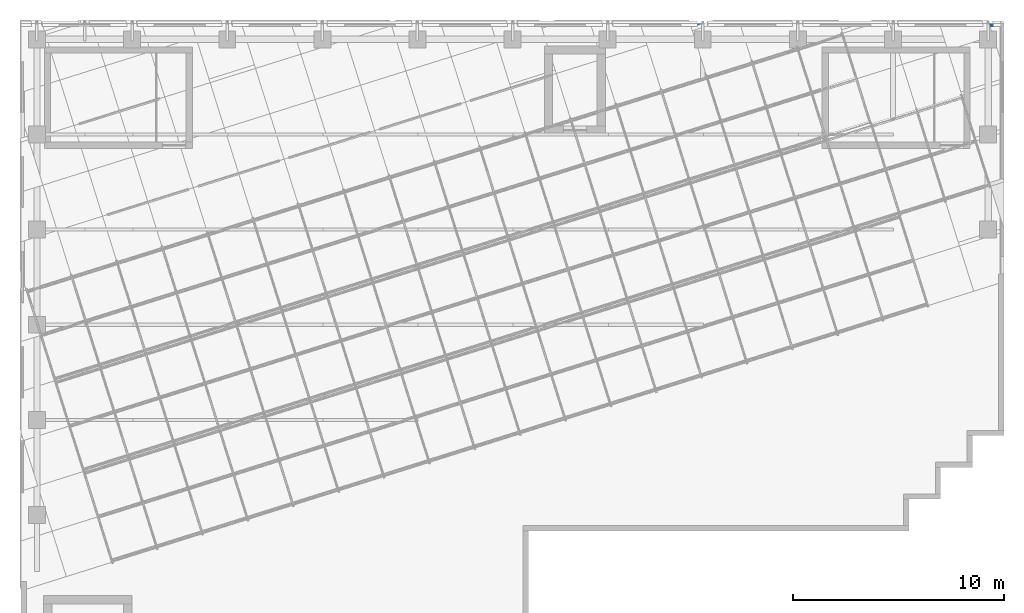
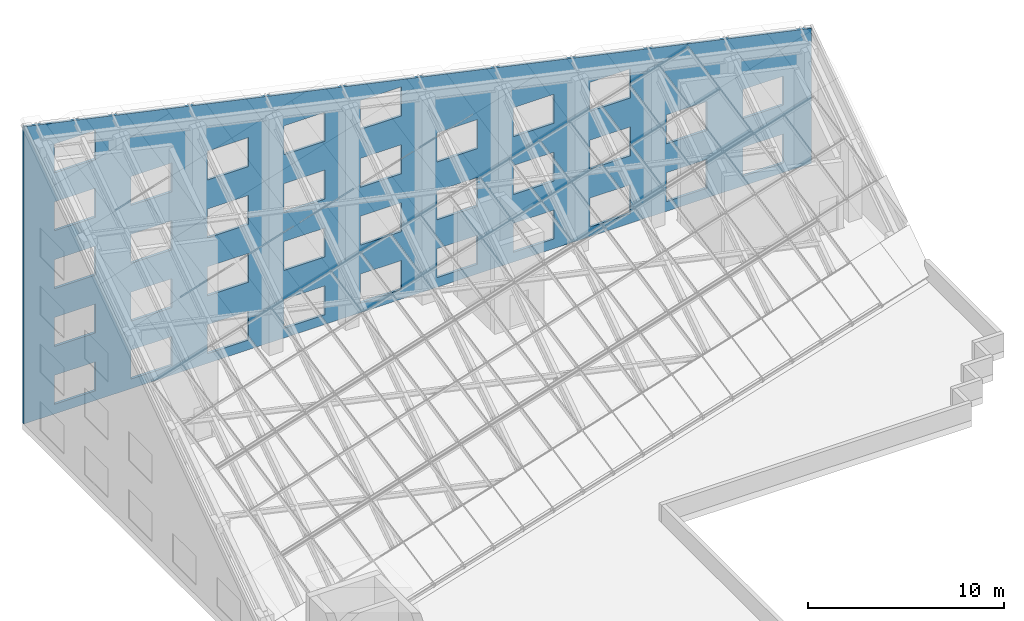
# One storey, part 12 of 14: 1 wall, 34 openings.
"""IFC4 building model written with IfcOpenShell, lengths in metres."""

from ifc_helpers import new_model, si_unit, direction, frame, frame_2d, origin, place, context, subcontext, project, spatial, polyline, rectangle, outline, extrude, material, layer, layer_set, type_object, element, save


model = new_model("IFC4")

# Units and contexts
model_context = context("Model", 3, precision=1e-05, world=origin(), true_north=direction((0.0, 1.0)))
body_context = subcontext(model_context, "Body", "Model", "MODEL_VIEW")
ifc_project = project(units=[si_unit("LENGTHUNIT", "METRE"), si_unit("AREAUNIT", "SQUARE_METRE"), si_unit("VOLUMEUNIT", "CUBIC_METRE"), si_unit("PLANEANGLEUNIT", "RADIAN"), si_unit("MASSUNIT", "GRAM", prefix="KILO")], contexts=[model_context])

# Site, building, storey
site_placement = place(None, origin())
site = spatial("IfcSite", under=ifc_project, at=site_placement, CompositionType="ELEMENT")
building_placement = place(site_placement, origin())
building = spatial("IfcBuilding", under=site, at=building_placement, Name="Firuza Court", CompositionType="ELEMENT")
storey_placement = place(building_placement, frame((0.0, 0.0, 266.199951171875)))
storey = spatial("IfcBuildingStorey", under=building, at=storey_placement, Name="L68 Crown", CompositionType="ELEMENT", Elevation=266.199951171875)

# Wall, openings
ifc_material_1 = material(Name="Ceramic tile", Category="ceramic")
ifc_layer_1 = layer(ifc_material_1, 0.02001953125)
ifc_material_2 = material(Name="Mineral wool insulation", Category="insulation")
ifc_layer_2 = layer(ifc_material_2, 0.050048828125)
ifc_material_3 = material(Name="Concrete C40/50 precast", Category="concrete")
ifc_layer_3 = layer(ifc_material_3, 0.080078125)
ifc_layer_set = layer_set([ifc_layer_1, ifc_layer_2, ifc_layer_3], Name="Concrete C40/50 precast")
wall_type = type_object("IfcWallType", Name="Precast cladding wall with turquoise TILE PANEL face 150", PredefinedType="STANDARD", material=ifc_layer_set)
wall_placement = place(storey_placement, frame((45.60009765625, 59.175048828125, 0.0), z_axis=(0.0, 0.0, 1.0), x_axis=(-1.0, 0.0, 0.0)))
wall = element("IfcWall", 1, at=wall_placement, inside=storey, type_object=wall_type, Name="Facade wall L68 N", PredefinedType="STANDARD", context=body_context, shape_type="SweptSolid", body=[
    extrude(outline(polyline([(0.0, 0.0), (46.35009765625, 0.0), (46.35009765625, 18.502685546875), (0.0, 8.400634765625), (0.0, 0.0)])), frame((0.0, 0.074951171875, 0.0), z_axis=(0.0, -1.0, 0.0), x_axis=(1.0, 0.0, 0.0)), (0.0, 0.0, 1.0), 0.14990234375),
])
opening_1_placement = place(wall_placement, frame((1.64990234375, 0.0, 0.60009765625)))
element("IfcOpeningElement", 2, at=opening_1_placement, cuts=wall, Name="Opening LV1", PredefinedType="OPENING", context=body_context, shape_type="SweptSolid", body=[
    extrude(rectangle(XDim=2.39990234375, YDim=1.800048828125, at=frame_2d((1.199951171875, 0.89990234375))), frame((0.0, 0.0869140625, 0.0), z_axis=(0.0, -1.0, 0.0), x_axis=(1.0, 0.0, 0.0)), (0.0, 0.0, 1.0), 0.173828125),
])
opening_2_placement = place(wall_placement, frame((1.64990234375, 0.0, 4.199951171875)))
element("IfcOpeningElement", 3, at=opening_2_placement, cuts=wall, Name="Opening LV1", PredefinedType="OPENING", context=body_context, shape_type="SweptSolid", body=[
    extrude(rectangle(XDim=2.39990234375, YDim=1.800048828125, at=frame_2d((1.199951171875, 0.89990234375))), frame((0.0, 0.0869140625, 0.0), z_axis=(0.0, -1.0, 0.0), x_axis=(1.0, 0.0, 0.0)), (0.0, 0.0, 1.0), 0.173828125),
])
opening_3_placement = place(wall_placement, frame((6.14990234375, 0.0, 0.60009765625)))
element("IfcOpeningElement", 4, at=opening_3_placement, cuts=wall, Name="Opening LV1", PredefinedType="OPENING", context=body_context, shape_type="SweptSolid", body=[
    extrude(rectangle(XDim=2.39990234375, YDim=1.800048828125, at=frame_2d((1.199951171875, 0.89990234375))), frame((0.0, 0.0869140625, 0.0), z_axis=(0.0, -1.0, 0.0), x_axis=(1.0, 0.0, 0.0)), (0.0, 0.0, 1.0), 0.173828125),
])
opening_4_placement = place(wall_placement, frame((6.14990234375, 0.0, 4.199951171875)))
element("IfcOpeningElement", 5, at=opening_4_placement, cuts=wall, Name="Opening LV1", PredefinedType="OPENING", context=body_context, shape_type="SweptSolid", body=[
    extrude(rectangle(XDim=2.39990234375, YDim=1.800048828125, at=frame_2d((1.199951171875, 0.89990234375))), frame((0.0, 0.0869140625, 0.0), z_axis=(0.0, -1.0, 0.0), x_axis=(1.0, 0.0, 0.0)), (0.0, 0.0, 1.0), 0.173828125),
])
opening_5_placement = place(wall_placement, frame((10.64990234375, 0.0, 0.60009765625)))
element("IfcOpeningElement", 6, at=opening_5_placement, cuts=wall, Name="Opening LV1", PredefinedType="OPENING", context=body_context, shape_type="SweptSolid", body=[
    extrude(rectangle(XDim=2.39990234375, YDim=1.800048828125, at=frame_2d((1.199951171875, 0.89990234375))), frame((0.0, 0.0869140625, 0.0), z_axis=(0.0, -1.0, 0.0), x_axis=(1.0, 0.0, 0.0)), (0.0, 0.0, 1.0), 0.173828125),
])
opening_6_placement = place(wall_placement, frame((10.64990234375, 0.0, 4.199951171875)))
element("IfcOpeningElement", 7, at=opening_6_placement, cuts=wall, Name="Opening LV1", PredefinedType="OPENING", context=body_context, shape_type="SweptSolid", body=[
    extrude(rectangle(XDim=2.39990234375, YDim=1.800048828125, at=frame_2d((1.199951171875, 0.89990234375))), frame((0.0, 0.0869140625, 0.0), z_axis=(0.0, -1.0, 0.0), x_axis=(1.0, 0.0, 0.0)), (0.0, 0.0, 1.0), 0.173828125),
])
opening_7_placement = place(wall_placement, frame((10.64990234375, 0.0, 7.800048828125)))
element("IfcOpeningElement", 8, at=opening_7_placement, cuts=wall, Name="Opening LV1", PredefinedType="OPENING", context=body_context, shape_type="SweptSolid", body=[
    extrude(rectangle(XDim=2.39990234375, YDim=1.800048828125, at=frame_2d((1.199951171875, 0.89990234375))), frame((0.0, 0.0869140625, 0.0), z_axis=(0.0, -1.0, 0.0), x_axis=(1.0, 0.0, 0.0)), (0.0, 0.0, 1.0), 0.173828125),
])
opening_8_placement = place(wall_placement, frame((15.14990234375, 0.0, 0.60009765625)))
element("IfcOpeningElement", 9, at=opening_8_placement, cuts=wall, Name="Opening LV1", PredefinedType="OPENING", context=body_context, shape_type="SweptSolid", body=[
    extrude(rectangle(XDim=2.39990234375, YDim=1.800048828125, at=frame_2d((1.199951171875, 0.89990234375))), frame((0.0, 0.0869140625, 0.0), z_axis=(0.0, -1.0, 0.0), x_axis=(1.0, 0.0, 0.0)), (0.0, 0.0, 1.0), 0.173828125),
])
opening_9_placement = place(wall_placement, frame((15.14990234375, 0.0, 4.199951171875)))
element("IfcOpeningElement", 10, at=opening_9_placement, cuts=wall, Name="Opening LV1", PredefinedType="OPENING", context=body_context, shape_type="SweptSolid", body=[
    extrude(rectangle(XDim=2.39990234375, YDim=1.800048828125, at=frame_2d((1.199951171875, 0.89990234375))), frame((0.0, 0.0869140625, 0.0), z_axis=(0.0, -1.0, 0.0), x_axis=(1.0, 0.0, 0.0)), (0.0, 0.0, 1.0), 0.173828125),
])
opening_10_placement = place(wall_placement, frame((15.14990234375, 0.0, 7.800048828125)))
element("IfcOpeningElement", 11, at=opening_10_placement, cuts=wall, Name="Opening LV1", PredefinedType="OPENING", context=body_context, shape_type="SweptSolid", body=[
    extrude(rectangle(XDim=2.39990234375, YDim=1.800048828125, at=frame_2d((1.199951171875, 0.89990234375))), frame((0.0, 0.0869140625, 0.0), z_axis=(0.0, -1.0, 0.0), x_axis=(1.0, 0.0, 0.0)), (0.0, 0.0, 1.0), 0.173828125),
])
opening_11_placement = place(wall_placement, frame((19.64990234375, 0.0, 0.60009765625)))
element("IfcOpeningElement", 12, at=opening_11_placement, cuts=wall, Name="Opening LV1", PredefinedType="OPENING", context=body_context, shape_type="SweptSolid", body=[
    extrude(rectangle(XDim=2.39990234375, YDim=1.800048828125, at=frame_2d((1.199951171875, 0.89990234375))), frame((0.0, 0.0869140625, 0.0), z_axis=(0.0, -1.0, 0.0), x_axis=(1.0, 0.0, 0.0)), (0.0, 0.0, 1.0), 0.173828125),
])
opening_12_placement = place(wall_placement, frame((19.64990234375, 0.0, 4.199951171875)))
element("IfcOpeningElement", 13, at=opening_12_placement, cuts=wall, Name="Opening LV1", PredefinedType="OPENING", context=body_context, shape_type="SweptSolid", body=[
    extrude(rectangle(XDim=2.39990234375, YDim=1.800048828125, at=frame_2d((1.199951171875, 0.89990234375))), frame((0.0, 0.0869140625, 0.0), z_axis=(0.0, -1.0, 0.0), x_axis=(1.0, 0.0, 0.0)), (0.0, 0.0, 1.0), 0.173828125),
])
opening_13_placement = place(wall_placement, frame((19.64990234375, 0.0, 7.800048828125)))
element("IfcOpeningElement", 14, at=opening_13_placement, cuts=wall, Name="Opening LV1", PredefinedType="OPENING", context=body_context, shape_type="SweptSolid", body=[
    extrude(rectangle(XDim=2.39990234375, YDim=1.800048828125, at=frame_2d((1.199951171875, 0.89990234375))), frame((0.0, 0.0869140625, 0.0), z_axis=(0.0, -1.0, 0.0), x_axis=(1.0, 0.0, 0.0)), (0.0, 0.0, 1.0), 0.173828125),
])
opening_14_placement = place(wall_placement, frame((24.14990234375, 0.0, 0.60009765625)))
element("IfcOpeningElement", 15, at=opening_14_placement, cuts=wall, Name="Opening LV1", PredefinedType="OPENING", context=body_context, shape_type="SweptSolid", body=[
    extrude(rectangle(XDim=2.39990234375, YDim=1.800048828125, at=frame_2d((1.199951171875, 0.89990234375))), frame((0.0, 0.0869140625, 0.0), z_axis=(0.0, -1.0, 0.0), x_axis=(1.0, 0.0, 0.0)), (0.0, 0.0, 1.0), 0.173828125),
])
opening_15_placement = place(wall_placement, frame((24.14990234375, 0.0, 4.199951171875)))
element("IfcOpeningElement", 16, at=opening_15_placement, cuts=wall, Name="Opening LV1", PredefinedType="OPENING", context=body_context, shape_type="SweptSolid", body=[
    extrude(rectangle(XDim=2.39990234375, YDim=1.800048828125, at=frame_2d((1.199951171875, 0.89990234375))), frame((0.0, 0.0869140625, 0.0), z_axis=(0.0, -1.0, 0.0), x_axis=(1.0, 0.0, 0.0)), (0.0, 0.0, 1.0), 0.173828125),
])
opening_16_placement = place(wall_placement, frame((24.14990234375, 0.0, 7.800048828125)))
element("IfcOpeningElement", 17, at=opening_16_placement, cuts=wall, Name="Opening LV1", PredefinedType="OPENING", context=body_context, shape_type="SweptSolid", body=[
    extrude(rectangle(XDim=2.39990234375, YDim=1.800048828125, at=frame_2d((1.199951171875, 0.89990234375))), frame((0.0, 0.0869140625, 0.0), z_axis=(0.0, -1.0, 0.0), x_axis=(1.0, 0.0, 0.0)), (0.0, 0.0, 1.0), 0.173828125),
])
opening_17_placement = place(wall_placement, frame((24.14990234375, 0.0, 11.39990234375)))
element("IfcOpeningElement", 18, at=opening_17_placement, cuts=wall, Name="Opening LV1", PredefinedType="OPENING", context=body_context, shape_type="SweptSolid", body=[
    extrude(rectangle(XDim=2.39990234375, YDim=1.800048828125, at=frame_2d((1.199951171875, 0.89990234375))), frame((0.0, 0.0869140625, 0.0), z_axis=(0.0, -1.0, 0.0), x_axis=(1.0, 0.0, 0.0)), (0.0, 0.0, 1.0), 0.173828125),
])
opening_18_placement = place(wall_placement, frame((28.64990234375, 0.0, 0.60009765625)))
element("IfcOpeningElement", 19, at=opening_18_placement, cuts=wall, Name="Opening LV1", PredefinedType="OPENING", context=body_context, shape_type="SweptSolid", body=[
    extrude(rectangle(XDim=2.39990234375, YDim=1.800048828125, at=frame_2d((1.199951171875, 0.89990234375))), frame((0.0, 0.0869140625, 0.0), z_axis=(0.0, -1.0, 0.0), x_axis=(1.0, 0.0, 0.0)), (0.0, 0.0, 1.0), 0.173828125),
])
opening_19_placement = place(wall_placement, frame((28.64990234375, 0.0, 4.199951171875)))
element("IfcOpeningElement", 20, at=opening_19_placement, cuts=wall, Name="Opening LV1", PredefinedType="OPENING", context=body_context, shape_type="SweptSolid", body=[
    extrude(rectangle(XDim=2.39990234375, YDim=1.800048828125, at=frame_2d((1.199951171875, 0.89990234375))), frame((0.0, 0.0869140625, 0.0), z_axis=(0.0, -1.0, 0.0), x_axis=(1.0, 0.0, 0.0)), (0.0, 0.0, 1.0), 0.173828125),
])
opening_20_placement = place(wall_placement, frame((28.64990234375, 0.0, 7.800048828125)))
element("IfcOpeningElement", 21, at=opening_20_placement, cuts=wall, Name="Opening LV1", PredefinedType="OPENING", context=body_context, shape_type="SweptSolid", body=[
    extrude(rectangle(XDim=2.39990234375, YDim=1.800048828125, at=frame_2d((1.199951171875, 0.89990234375))), frame((0.0, 0.0869140625, 0.0), z_axis=(0.0, -1.0, 0.0), x_axis=(1.0, 0.0, 0.0)), (0.0, 0.0, 1.0), 0.173828125),
])
opening_21_placement = place(wall_placement, frame((28.64990234375, 0.0, 11.39990234375)))
element("IfcOpeningElement", 22, at=opening_21_placement, cuts=wall, Name="Opening LV1", PredefinedType="OPENING", context=body_context, shape_type="SweptSolid", body=[
    extrude(rectangle(XDim=2.39990234375, YDim=1.800048828125, at=frame_2d((1.199951171875, 0.89990234375))), frame((0.0, 0.0869140625, 0.0), z_axis=(0.0, -1.0, 0.0), x_axis=(1.0, 0.0, 0.0)), (0.0, 0.0, 1.0), 0.173828125),
])
opening_22_placement = place(wall_placement, frame((33.14990234375, 0.0, 0.60009765625)))
element("IfcOpeningElement", 23, at=opening_22_placement, cuts=wall, Name="Opening LV1", PredefinedType="OPENING", context=body_context, shape_type="SweptSolid", body=[
    extrude(rectangle(XDim=2.39990234375, YDim=1.800048828125, at=frame_2d((1.199951171875, 0.89990234375))), frame((0.0, 0.0869140625, 0.0), z_axis=(0.0, -1.0, 0.0), x_axis=(1.0, 0.0, 0.0)), (0.0, 0.0, 1.0), 0.173828125),
])
opening_23_placement = place(wall_placement, frame((33.14990234375, 0.0, 4.199951171875)))
element("IfcOpeningElement", 24, at=opening_23_placement, cuts=wall, Name="Opening LV1", PredefinedType="OPENING", context=body_context, shape_type="SweptSolid", body=[
    extrude(rectangle(XDim=2.39990234375, YDim=1.800048828125, at=frame_2d((1.199951171875, 0.89990234375))), frame((0.0, 0.0869140625, 0.0), z_axis=(0.0, -1.0, 0.0), x_axis=(1.0, 0.0, 0.0)), (0.0, 0.0, 1.0), 0.173828125),
])
opening_24_placement = place(wall_placement, frame((33.14990234375, 0.0, 7.800048828125)))
element("IfcOpeningElement", 25, at=opening_24_placement, cuts=wall, Name="Opening LV1", PredefinedType="OPENING", context=body_context, shape_type="SweptSolid", body=[
    extrude(rectangle(XDim=2.39990234375, YDim=1.800048828125, at=frame_2d((1.199951171875, 0.89990234375))), frame((0.0, 0.0869140625, 0.0), z_axis=(0.0, -1.0, 0.0), x_axis=(1.0, 0.0, 0.0)), (0.0, 0.0, 1.0), 0.173828125),
])
opening_25_placement = place(wall_placement, frame((33.14990234375, 0.0, 11.39990234375)))
element("IfcOpeningElement", 26, at=opening_25_placement, cuts=wall, Name="Opening LV1", PredefinedType="OPENING", context=body_context, shape_type="SweptSolid", body=[
    extrude(rectangle(XDim=2.39990234375, YDim=1.800048828125, at=frame_2d((1.199951171875, 0.89990234375))), frame((0.0, 0.0869140625, 0.0), z_axis=(0.0, -1.0, 0.0), x_axis=(1.0, 0.0, 0.0)), (0.0, 0.0, 1.0), 0.173828125),
])
opening_26_placement = place(wall_placement, frame((37.64990234375, 0.0, 0.60009765625)))
element("IfcOpeningElement", 27, at=opening_26_placement, cuts=wall, Name="Opening LV1", PredefinedType="OPENING", context=body_context, shape_type="SweptSolid", body=[
    extrude(rectangle(XDim=2.39990234375, YDim=1.800048828125, at=frame_2d((1.199951171875, 0.89990234375))), frame((0.0, 0.0869140625, 0.0), z_axis=(0.0, -1.0, 0.0), x_axis=(1.0, 0.0, 0.0)), (0.0, 0.0, 1.0), 0.173828125),
])
opening_27_placement = place(wall_placement, frame((37.64990234375, 0.0, 4.199951171875)))
element("IfcOpeningElement", 28, at=opening_27_placement, cuts=wall, Name="Opening LV1", PredefinedType="OPENING", context=body_context, shape_type="SweptSolid", body=[
    extrude(rectangle(XDim=2.39990234375, YDim=1.800048828125, at=frame_2d((1.199951171875, 0.89990234375))), frame((0.0, 0.0869140625, 0.0), z_axis=(0.0, -1.0, 0.0), x_axis=(1.0, 0.0, 0.0)), (0.0, 0.0, 1.0), 0.173828125),
])
opening_28_placement = place(wall_placement, frame((37.64990234375, 0.0, 7.800048828125)))
element("IfcOpeningElement", 29, at=opening_28_placement, cuts=wall, Name="Opening LV1", PredefinedType="OPENING", context=body_context, shape_type="SweptSolid", body=[
    extrude(rectangle(XDim=2.39990234375, YDim=1.800048828125, at=frame_2d((1.199951171875, 0.89990234375))), frame((0.0, 0.0869140625, 0.0), z_axis=(0.0, -1.0, 0.0), x_axis=(1.0, 0.0, 0.0)), (0.0, 0.0, 1.0), 0.173828125),
])
opening_29_placement = place(wall_placement, frame((37.64990234375, 0.0, 11.39990234375)))
element("IfcOpeningElement", 30, at=opening_29_placement, cuts=wall, Name="Opening LV1", PredefinedType="OPENING", context=body_context, shape_type="SweptSolid", body=[
    extrude(rectangle(XDim=2.39990234375, YDim=1.800048828125, at=frame_2d((1.199951171875, 0.89990234375))), frame((0.0, 0.0869140625, 0.0), z_axis=(0.0, -1.0, 0.0), x_axis=(1.0, 0.0, 0.0)), (0.0, 0.0, 1.0), 0.173828125),
])
opening_30_placement = place(wall_placement, frame((42.14990234375, 0.0, 0.60009765625)))
element("IfcOpeningElement", 31, at=opening_30_placement, cuts=wall, Name="Opening LV1", PredefinedType="OPENING", context=body_context, shape_type="SweptSolid", body=[
    extrude(rectangle(XDim=2.39990234375, YDim=1.800048828125, at=frame_2d((1.199951171875, 0.89990234375))), frame((0.0, 0.0869140625, 0.0), z_axis=(0.0, -1.0, 0.0), x_axis=(1.0, 0.0, 0.0)), (0.0, 0.0, 1.0), 0.173828125),
])
opening_31_placement = place(wall_placement, frame((42.14990234375, 0.0, 4.199951171875)))
element("IfcOpeningElement", 32, at=opening_31_placement, cuts=wall, Name="Opening LV1", PredefinedType="OPENING", context=body_context, shape_type="SweptSolid", body=[
    extrude(rectangle(XDim=2.39990234375, YDim=1.800048828125, at=frame_2d((1.199951171875, 0.89990234375))), frame((0.0, 0.0869140625, 0.0), z_axis=(0.0, -1.0, 0.0), x_axis=(1.0, 0.0, 0.0)), (0.0, 0.0, 1.0), 0.173828125),
])
opening_32_placement = place(wall_placement, frame((42.14990234375, 0.0, 7.800048828125)))
element("IfcOpeningElement", 33, at=opening_32_placement, cuts=wall, Name="Opening LV1", PredefinedType="OPENING", context=body_context, shape_type="SweptSolid", body=[
    extrude(rectangle(XDim=2.39990234375, YDim=1.800048828125, at=frame_2d((1.199951171875, 0.89990234375))), frame((0.0, 0.0869140625, 0.0), z_axis=(0.0, -1.0, 0.0), x_axis=(1.0, 0.0, 0.0)), (0.0, 0.0, 1.0), 0.173828125),
])
opening_33_placement = place(wall_placement, frame((42.14990234375, 0.0, 11.39990234375)))
element("IfcOpeningElement", 34, at=opening_33_placement, cuts=wall, Name="Opening LV1", PredefinedType="OPENING", context=body_context, shape_type="SweptSolid", body=[
    extrude(rectangle(XDim=2.39990234375, YDim=1.800048828125, at=frame_2d((1.199951171875, 0.89990234375))), frame((0.0, 0.0869140625, 0.0), z_axis=(0.0, -1.0, 0.0), x_axis=(1.0, 0.0, 0.0)), (0.0, 0.0, 1.0), 0.173828125),
])
opening_34_placement = place(wall_placement, frame((42.14990234375, 0.0, 15.0)))
element("IfcOpeningElement", 35, at=opening_34_placement, cuts=wall, Name="Opening LV1", PredefinedType="OPENING", context=body_context, shape_type="SweptSolid", body=[
    extrude(rectangle(XDim=2.39990234375, YDim=1.800048828125, at=frame_2d((1.199951171875, 0.89990234375))), frame((0.0, 0.0869140625, 0.0), z_axis=(0.0, -1.0, 0.0), x_axis=(1.0, 0.0, 0.0)), (0.0, 0.0, 1.0), 0.173828125),
])

save(model, "model.ifc")
